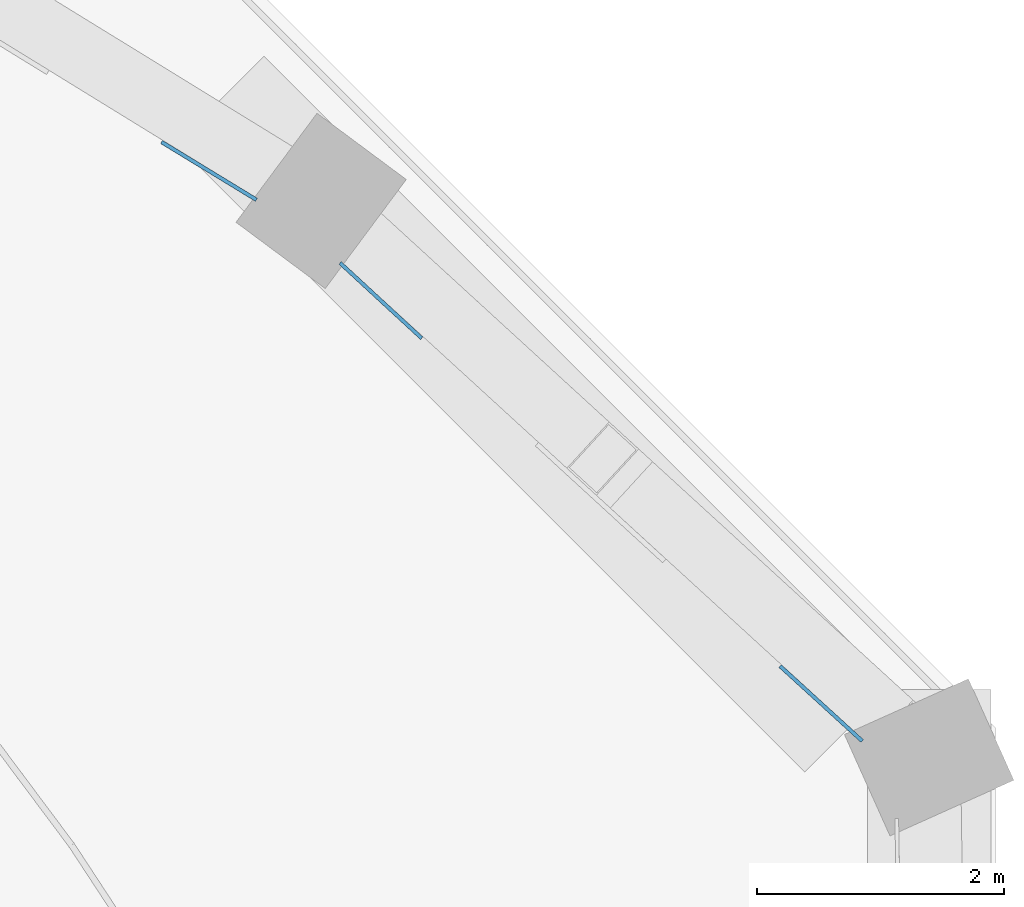
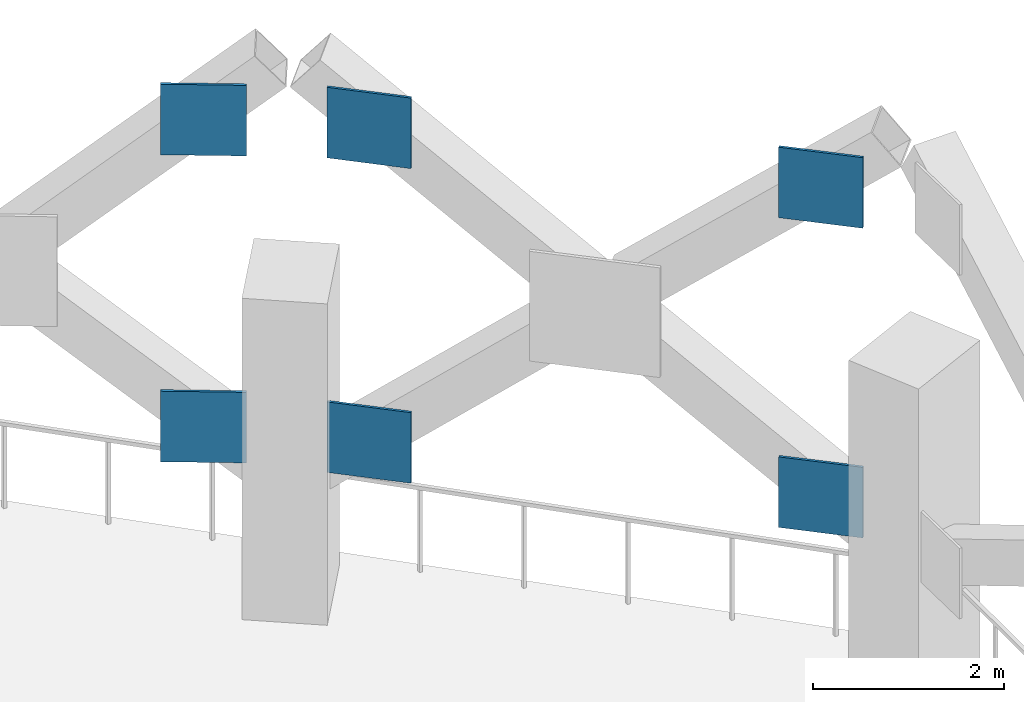
# One storey, part 9 of 18: 6 discrete accessories.
"""IFC4 building model written with IfcOpenShell, lengths in metres."""

from ifc_helpers import new_model, si_unit, direction, frame, origin, origin_2d, place, context, subcontext, project, spatial, rectangle, extrude, material, material_profile, profile_set, type_object, element, save


model = new_model("IFC4")

# Units and contexts
model_context = context("Model", 3, precision=1e-05, world=origin(), true_north=direction((0.0, 1.0)))
body_context = subcontext(model_context, "Body", "Model", "MODEL_VIEW")
ifc_project = project(units=[si_unit("LENGTHUNIT", "METRE"), si_unit("AREAUNIT", "SQUARE_METRE"), si_unit("VOLUMEUNIT", "CUBIC_METRE"), si_unit("PLANEANGLEUNIT", "RADIAN"), si_unit("MASSUNIT", "GRAM", prefix="KILO")], contexts=[model_context])

# Site, building, storey
site_placement = place(None, origin())
site = spatial("IfcSite", under=ifc_project, at=site_placement, CompositionType="ELEMENT")
building_placement = place(site_placement, origin())
building = spatial("IfcBuilding", under=site, at=building_placement, Name="Cypress Arch Tower", CompositionType="ELEMENT")
storey_placement = place(building_placement, frame((0.0, 0.0, 160.5)))
storey = spatial("IfcBuildingStorey", under=building, at=storey_placement, Name="L34", CompositionType="ELEMENT", Elevation=160.5)

# Discrete accessories
ifc_material = material(Name="Steel ASTM A992", Category="steel")
ifc_material_profile = material_profile(ifc_material, rectangle(XDim=0.89990234375, YDim=0.89990234375, at=origin_2d()), Name="PL 30 900x900")
ifc_profile_set = profile_set([ifc_material_profile], Name="Steel ASTM A992")
discrete_accessory_type = type_object("IfcDiscreteAccessoryType", Name="Gusset plate 900x900x30 Steel ASTM A992", PredefinedType="ANCHORPLATE", material=ifc_profile_set)
discrete_accessory_1_placement = place(storey_placement, frame((23.198974609375, 14.20654296875, 2.2744140625), z_axis=(-0.673884243496, -0.738836941664, 0.0), x_axis=(0.738836941664, -0.673884243496, 0.0)))
element("IfcDiscreteAccessory", 1, at=discrete_accessory_1_placement, inside=storey, type_object=discrete_accessory_type, Name="Gusset plate L34 CQ15-CQ16u0", PredefinedType="ANCHORPLATE", context=body_context, shape_type="SweptSolid", body=[
    extrude(rectangle(XDim=0.89990234375, YDim=0.89990234375, at=origin_2d()), origin(), (0.0, 0.0, 1.0), 0.030029296875),
])
discrete_accessory_2_placement = place(storey_placement, frame((19.63232421875, 17.470947265625, 6.2568359375), z_axis=(-0.677940786048, -0.735116514991, 0.0), x_axis=(0.735116514991, -0.677940786048, 0.0)))
element("IfcDiscreteAccessory", 2, at=discrete_accessory_2_placement, inside=storey, type_object=discrete_accessory_type, Name="Gusset plate L34 CQ15-CQ16u1", PredefinedType="ANCHORPLATE", context=body_context, shape_type="SweptSolid", body=[
    extrude(rectangle(XDim=0.89990234375, YDim=0.89990234375, at=origin_2d()), origin(), (0.0, 0.0, 1.0), 0.02978515625),
])
discrete_accessory_3_placement = place(storey_placement, frame((23.198974609375, 14.20654296875, 6.2255859375), z_axis=(-0.673884243496, -0.738836941664, 0.0), x_axis=(0.738836941664, -0.673884243496, 0.0)))
element("IfcDiscreteAccessory", 3, at=discrete_accessory_3_placement, inside=storey, type_object=discrete_accessory_type, Name="Gusset plate L34 CQ15-CQ16d0", PredefinedType="ANCHORPLATE", context=body_context, shape_type="SweptSolid", body=[
    extrude(rectangle(XDim=0.89990234375, YDim=0.89990234375, at=origin_2d()), origin(), (0.0, 0.0, 1.0), 0.030029296875),
])
discrete_accessory_4_placement = place(storey_placement, frame((19.63232421875, 17.470947265625, 2.2431640625), z_axis=(-0.677940786048, -0.735116514991, 0.0), x_axis=(0.735116514991, -0.677940786048, 0.0)))
element("IfcDiscreteAccessory", 4, at=discrete_accessory_4_placement, inside=storey, type_object=discrete_accessory_type, Name="Gusset plate L34 CQ15-CQ16d1", PredefinedType="ANCHORPLATE", context=body_context, shape_type="SweptSolid", body=[
    extrude(rectangle(XDim=0.89990234375, YDim=0.89990234375, at=origin_2d()), origin(), (0.0, 0.0, 1.0), 0.02978515625),
])
for number, where, z_axis, x_axis, name in (
    (5, (18.237060546875, 18.523681640625, 2.291748046875), (-0.520462828118, -0.853884327381, 0.0), (0.853884327381, -0.520462828118, 0.0), "Gusset plate L34 CQ16-CQ17u0"),
    (6, (18.237060546875, 18.523681640625, 6.208251953125), (-0.520462828118, -0.853884327381, 0.0), (0.853884327381, -0.520462828118, 0.0), "Gusset plate L34 CQ16-CQ17d0"),
):
    element("IfcDiscreteAccessory", number, at=place(storey_placement, frame(where, z_axis=z_axis, x_axis=x_axis)), inside=storey, type_object=discrete_accessory_type, Name=name, PredefinedType="ANCHORPLATE", context=body_context, shape_type="SweptSolid", body=[
        extrude(rectangle(XDim=0.89990234375, YDim=0.89990234375, at=origin_2d()), origin(), (0.0, 0.0, 1.0), 0.030029296875),
    ])

save(model, "model.ifc")
